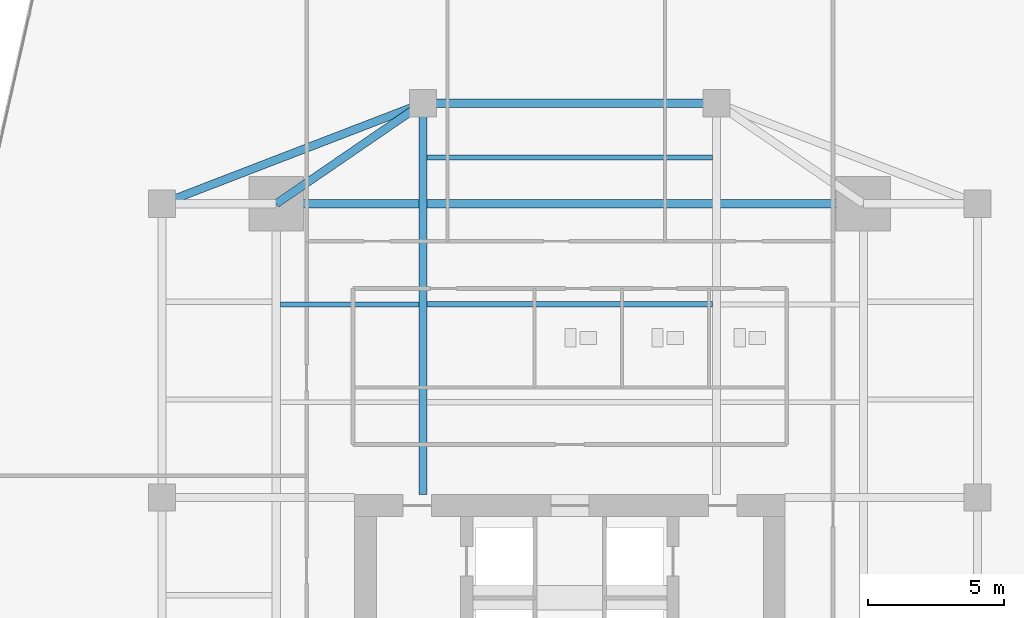
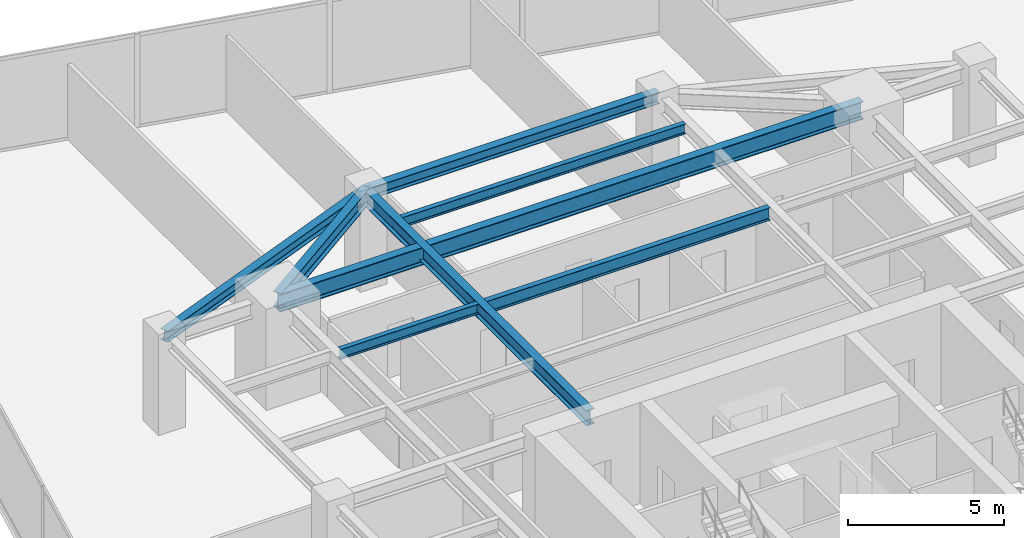
# One storey, part 16 of 26: 8 beams.
"""IFC4 building model written with IfcOpenShell, lengths in metres."""

from ifc_helpers import new_model, si_unit, direction, frame, origin, origin_2d, place, context, subcontext, project, spatial, i_section, extrude, source, transform, mapped, material, material_profile, profile_set, type_object, type_shapes, element, save


model = new_model("IFC4")

# Units and contexts
model_context = context("Model", 3, precision=1e-05, world=origin(), true_north=direction((0.0, 1.0)))
body_context = subcontext(model_context, "Body", "Model", "MODEL_VIEW")
ifc_project = project(units=[si_unit("LENGTHUNIT", "METRE"), si_unit("AREAUNIT", "SQUARE_METRE"), si_unit("VOLUMEUNIT", "CUBIC_METRE"), si_unit("PLANEANGLEUNIT", "RADIAN"), si_unit("MASSUNIT", "GRAM", prefix="KILO")], contexts=[model_context])

# Site, building, storey
site_placement = place(None, origin())
site = spatial("IfcSite", under=ifc_project, at=site_placement, CompositionType="ELEMENT")
building_placement = place(site_placement, origin())
building = spatial("IfcBuilding", under=site, at=building_placement, Name="Krantzveldt Concourse Tower", CompositionType="ELEMENT")
storey_placement = place(building_placement, frame((0.0, 0.0, 94.0)))
storey = spatial("IfcBuildingStorey", under=building, at=storey_placement, Name="L22", CompositionType="ELEMENT", Elevation=94.0)

# Beams
ifc_material_1 = material(Name="Steel S355J2", Category="steel")
ifc_material_profile_1 = material_profile(ifc_material_1, i_section(OverallWidth=0.300048828125, OverallDepth=0.699951171875, WebThickness=0.01708984375, FlangeThickness=0.031982421875, FilletRadius=0.027099609375, at=origin_2d()), Name="Steel S355J2", Category="steel")
ifc_profile_set_1 = profile_set([ifc_material_profile_1], Name="Steel S355J2 - HEB 700")
beam_type_1 = type_object("IfcBeamType", Name="BM-B-HEB700", PredefinedType="BEAM", material=ifc_profile_set_1)
shared_shape_1 = source(origin(), body_context, "Body", "SweptSolid", [
    extrude(i_section(OverallWidth=0.300048828125, OverallDepth=0.699951171875, WebThickness=0.01708984375, FlangeThickness=0.031982421875, FilletRadius=0.027099609375, at=origin_2d()), origin(), (0.0, 0.0, 1.0), 21.60009765625),
])
type_shapes(beam_type_1, [shared_shape_1])
beam_1_placement = place(storey_placement, frame((25.199951171875, 37.5, 3.320068359375), z_axis=(1.0, 0.0, 0.0), x_axis=(0.0, 1.0, 0.0)))
element("IfcBeam", 1, at=beam_1_placement, inside=storey, type_object=beam_type_1, Name="L22 Tower Girder BG-MN", PredefinedType="BEAM", context=body_context, shape_type="MappedRepresentation", body=[
    mapped(shared_shape_1, transform((0.0, 0.0, 0.0), x_axis=(1.0, 0.0, 0.0), y_axis=(0.0, 1.0, 0.0), z_axis=(0.0, 0.0, 1.0), scale=1.0)),
])
ifc_material_2 = material(Name="Steel S355JR", Category="steel")
ifc_material_profile_2 = material_profile(ifc_material_2, i_section(OverallWidth=0.300048828125, OverallDepth=0.590087890625, WebThickness=0.012939453125, FlangeThickness=0.02490234375, FilletRadius=0.027099609375, at=origin_2d()), Name="Steel S355JR", Category="steel")
ifc_profile_set_2 = profile_set([ifc_material_profile_2], Name="Steel S355JR - HEA 600")
beam_type_2 = type_object("IfcBeamType", Name="BM-B-HEA600", PredefinedType="BEAM", material=ifc_profile_set_2)
shared_shape_2 = source(origin(), body_context, "Body", "SweptSolid", [
    extrude(i_section(OverallWidth=0.300048828125, OverallDepth=0.590087890625, WebThickness=0.012939453125, FlangeThickness=0.02490234375, FilletRadius=0.027099609375, at=origin_2d()), origin(), (0.0, 0.0, 1.0), 14.39990234375),
])
beam_2_placement = place(storey_placement, frame((30.60009765625, 26.800048828125, 3.375), z_axis=(0.0, 1.0, 0.0), x_axis=(-1.0, 0.0, 0.0)))
element("IfcBeam", 2, at=beam_2_placement, inside=storey, type_object=beam_type_2, Name="L22 Tower Girder BG-CNW", PredefinedType="BEAM", context=body_context, shape_type="MappedRepresentation", body=[
    mapped(shared_shape_2, transform((0.0, 0.0, 0.0), x_axis=(1.0, 0.0, 0.0), y_axis=(0.0, 1.0, 0.0), z_axis=(0.0, 0.0, 1.0), scale=1.0)),
])
ifc_material_profile_3 = material_profile(ifc_material_2, i_section(OverallWidth=0.300048828125, OverallDepth=0.43994140625, WebThickness=0.011474609375, FlangeThickness=0.02099609375, FilletRadius=0.027099609375, at=origin_2d()), Name="Steel S355JR", Category="steel")
ifc_profile_set_3 = profile_set([ifc_material_profile_3], Name="Steel S355JR - HEA 450")
beam_type_3 = type_object("IfcBeamType", Name="BM-SP-HEA450", PredefinedType="SPANDREL", material=ifc_profile_set_3)
shared_shape_3 = source(origin(), body_context, "Body", "SweptSolid", [
    extrude(i_section(OverallWidth=0.300048828125, OverallDepth=0.43994140625, WebThickness=0.011474609375, FlangeThickness=0.02099609375, FilletRadius=0.027099609375, at=origin_2d()), origin(), (0.0, 0.0, 1.0), 10.288330078125),
])
beam_3_placement = place(storey_placement, frame((21.0, 37.5, 3.449951171875), z_axis=(0.933097690408, 0.359622997257, 0.0), x_axis=(-0.359622997257, 0.933097690408, 0.0)))
element("IfcBeam", 3, at=beam_3_placement, inside=storey, type_object=beam_type_3, Name="L22 Tower Girder SP-R03", PredefinedType="SPANDREL", context=body_context, shape_type="MappedRepresentation", body=[
    mapped(shared_shape_3, transform((0.0, 0.0, 0.0), x_axis=(1.0, 0.0, 0.0), y_axis=(0.0, 1.0, 0.0), z_axis=(0.0, 0.0, 1.0), scale=1.0)),
])
shared_shape_4 = source(origin(), body_context, "Body", "SweptSolid", [
    extrude(i_section(OverallWidth=0.300048828125, OverallDepth=0.43994140625, WebThickness=0.011474609375, FlangeThickness=0.02099609375, FilletRadius=0.027099609375, at=origin_2d()), origin(), (0.0, 0.0, 1.0), 10.7998046875),
])
type_shapes(beam_type_3, [shared_shape_3, shared_shape_4])
beam_4_placement = place(storey_placement, frame((30.60009765625, 41.199951171875, 3.449951171875), z_axis=(1.0, 0.0, 0.0), x_axis=(0.0, 1.0, 0.0)))
element("IfcBeam", 4, at=beam_4_placement, inside=storey, type_object=beam_type_3, Name="L22 Tower Girder SP-R04", PredefinedType="SPANDREL", context=body_context, shape_type="MappedRepresentation", body=[
    mapped(shared_shape_4, transform((0.0, 0.0, 0.0), x_axis=(1.0, 0.0, 0.0), y_axis=(0.0, 1.0, 0.0), z_axis=(0.0, 0.0, 1.0), scale=1.0)),
])
shared_shape_5 = source(origin(), body_context, "Body", "SweptSolid", [
    extrude(i_section(OverallWidth=0.300048828125, OverallDepth=0.590087890625, WebThickness=0.012939453125, FlangeThickness=0.02490234375, FilletRadius=0.027099609375, at=origin_2d()), origin(), (0.0, 0.0, 1.0), 6.546142578125),
])
type_shapes(beam_type_2, [shared_shape_2, shared_shape_5])
beam_5_placement = place(storey_placement, frame((25.199951171875, 37.5, 3.375), z_axis=(0.824942999484, 0.565215930068, 0.0), x_axis=(-0.565215930068, 0.824942999484, 0.0)))
element("IfcBeam", 5, at=beam_5_placement, inside=storey, type_object=beam_type_2, Name="L22 Tower Girder BR-RL4", PredefinedType="BEAM", context=body_context, shape_type="MappedRepresentation", body=[
    mapped(shared_shape_5, transform((0.0, 0.0, 0.0), x_axis=(1.0, 0.0, 0.0), y_axis=(0.0, 1.0, 0.0), z_axis=(0.0, 0.0, 1.0), scale=1.0)),
])
ifc_material_profile_4 = material_profile(ifc_material_2, i_section(OverallWidth=0.199951171875, OverallDepth=0.5, WebThickness=0.01025390625, FlangeThickness=0.01611328125, FilletRadius=0.02099609375, at=origin_2d()), Name="Steel S355JR", Category="steel")
ifc_profile_set_4 = profile_set([ifc_material_profile_4], Name="Steel S355JR - IPE 500")
beam_type_4 = type_object("IfcBeamType", Name="BM-J-IPE500", PredefinedType="JOIST", material=ifc_profile_set_4)
shared_shape_6 = source(origin(), body_context, "Body", "SweptSolid", [
    extrude(i_section(OverallWidth=0.199951171875, OverallDepth=0.5, WebThickness=0.01025390625, FlangeThickness=0.01611328125, FilletRadius=0.02099609375, at=origin_2d()), origin(), (0.0, 0.0, 1.0), 10.5),
])
type_shapes(beam_type_4, [shared_shape_6])
beam_6_placement = place(storey_placement, frame((30.75, 33.800048828125, 3.419921875), z_axis=(1.0, 0.0, 0.0), x_axis=(0.0, 1.0, 0.0)))
element("IfcBeam", 6, at=beam_6_placement, inside=storey, type_object=beam_type_4, Name="L22 Secondary Floor Joist JN-C2", PredefinedType="JOIST", context=body_context, shape_type="MappedRepresentation", body=[
    mapped(shared_shape_6, transform((0.0, 0.0, 0.0), x_axis=(1.0, 0.0, 0.0), y_axis=(0.0, 1.0, 0.0), z_axis=(0.0, 0.0, 1.0), scale=1.0)),
])
ifc_material_profile_5 = material_profile(ifc_material_2, i_section(OverallWidth=0.179931640625, OverallDepth=0.39990234375, WebThickness=0.008544921875, FlangeThickness=0.013427734375, FilletRadius=0.02099609375, at=origin_2d()), Name="Steel S355JR", Category="steel")
ifc_profile_set_5 = profile_set([ifc_material_profile_5], Name="Steel S355JR - IPE 400")
beam_type_5 = type_object("IfcBeamType", Name="BM-J-IPE400", PredefinedType="JOIST", material=ifc_profile_set_5)
shared_shape_7 = source(origin(), body_context, "Body", "SweptSolid", [
    extrude(i_section(OverallWidth=0.179931640625, OverallDepth=0.39990234375, WebThickness=0.008544921875, FlangeThickness=0.013427734375, FilletRadius=0.02099609375, at=origin_2d()), origin(), (0.0, 0.0, 1.0), 10.5),
])
beam_7_placement = place(storey_placement, frame((30.75, 39.199951171875, 3.469970703125), z_axis=(1.0, 0.0, 0.0), x_axis=(0.0, 1.0, 0.0)))
element("IfcBeam", 7, at=beam_7_placement, inside=storey, type_object=beam_type_5, Name="L22 Secondary Floor Joist JN-C3", PredefinedType="JOIST", context=body_context, shape_type="MappedRepresentation", body=[
    mapped(shared_shape_7, transform((0.0, 0.0, 0.0), x_axis=(1.0, 0.0, 0.0), y_axis=(0.0, 1.0, 0.0), z_axis=(0.0, 0.0, 1.0), scale=1.0)),
])
shared_shape_8 = source(origin(), body_context, "Body", "SweptSolid", [
    extrude(i_section(OverallWidth=0.179931640625, OverallDepth=0.39990234375, WebThickness=0.008544921875, FlangeThickness=0.013427734375, FilletRadius=0.02099609375, at=origin_2d()), origin(), (0.0, 0.0, 1.0), 5.099853515625),
])
type_shapes(beam_type_5, [shared_shape_7, shared_shape_8])
beam_8_placement = place(storey_placement, frame((25.35009765625, 33.800048828125, 3.469970703125), z_axis=(1.0, 0.0, 0.0), x_axis=(0.0, 1.0, 0.0)))
element("IfcBeam", 8, at=beam_8_placement, inside=storey, type_object=beam_type_5, Name="L22 Secondary Floor Joist JN-W2", PredefinedType="JOIST", context=body_context, shape_type="MappedRepresentation", body=[
    mapped(shared_shape_8, transform((0.0, 0.0, 0.0), x_axis=(1.0, 0.0, 0.0), y_axis=(0.0, 1.0, 0.0), z_axis=(0.0, 0.0, 1.0), scale=1.0)),
])

save(model, "model.ifc")
